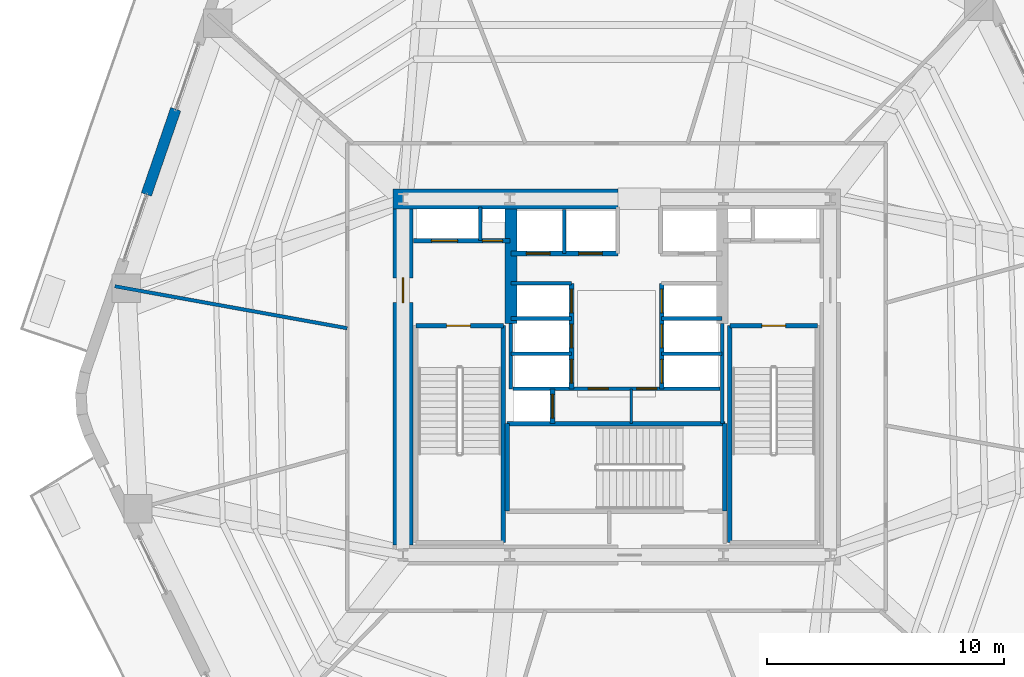
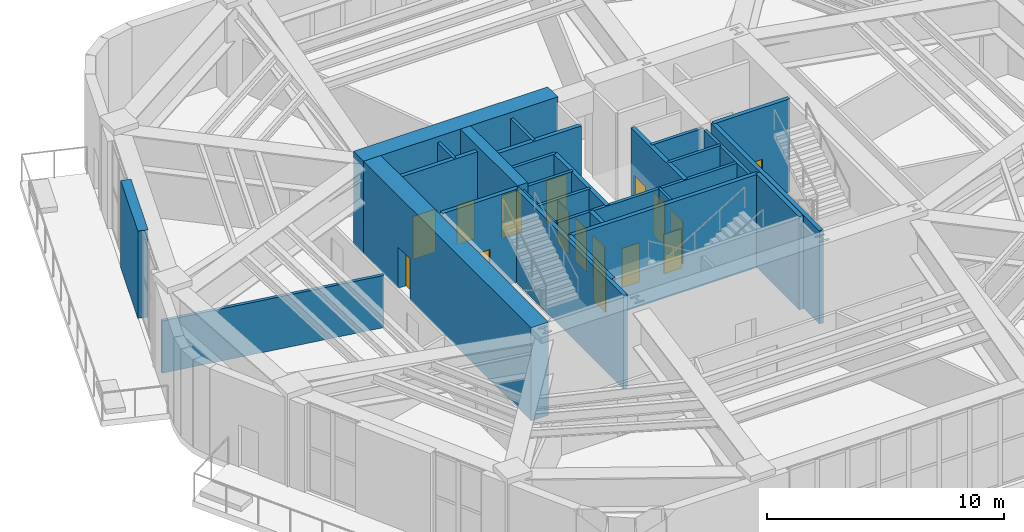
# One storey, part 17 of 22: 28 walls, 16 doors, 16 openings.
"""IFC4 building model written with IfcOpenShell, lengths in metres."""

from ifc_helpers import new_model, si_unit, direction, frame, frame_2d, origin, place, context, subcontext, project, spatial, rectangle, extrude, material, layer, layer_set, type_object, element, fill, save


model = new_model("IFC4")

# Units and contexts
model_context = context("Model", 3, precision=1e-05, world=origin(), true_north=direction((0.0, 1.0)))
body_context = subcontext(model_context, "Body", "Model", "MODEL_VIEW")
ifc_project = project(units=[si_unit("LENGTHUNIT", "METRE"), si_unit("AREAUNIT", "SQUARE_METRE"), si_unit("VOLUMEUNIT", "CUBIC_METRE"), si_unit("PLANEANGLEUNIT", "RADIAN"), si_unit("MASSUNIT", "GRAM", prefix="KILO")], contexts=[model_context])

# Site, building, storey
site_placement = place(None, origin())
site = spatial("IfcSite", under=ifc_project, at=site_placement, CompositionType="ELEMENT")
building_placement = place(site_placement, origin())
building = spatial("IfcBuilding", under=site, at=building_placement, Name="Kilnhurst Terrace Hotel", CompositionType="ELEMENT")
storey_placement = place(building_placement, frame((0.0, 0.0, 139.5)))
storey = spatial("IfcBuildingStorey", under=building, at=storey_placement, Name="L34", CompositionType="ELEMENT", Elevation=139.5)

# Walls
ifc_material_1 = material(Name="Precast concrete C40/50", Category="concrete")
ifc_layer_1 = layer(ifc_material_1, 0.449951171875, Name="Precast concrete C40/50")
ifc_layer_set_1 = layer_set([ifc_layer_1], Name="Precast concrete C40/50")
wall_type_1 = type_object("IfcWallType", Name="WL-BRK-450", PredefinedType="SOLIDWALL", material=ifc_layer_set_1)
wall_1_placement = place(storey_placement, frame((-18.574462890625, 11.279052734375, 0.0), z_axis=(0.0, 0.0, 1.0), x_axis=(-0.325598625093, -0.945508083169, 0.0)))
element("IfcWall", 1, at=wall_1_placement, inside=storey, type_object=wall_type_1, Name="L34 Face 5 Brick Pier 2", PredefinedType="SOLIDWALL", context=body_context, shape_type="SweptSolid", body=[
    extrude(rectangle(XDim=3.800048828125, YDim=0.449951171875, at=frame_2d((1.89990234375, 0.0))), origin(), (0.0, 0.0, 1.0), 4.5),
])
ifc_material_2 = material(Name="Concrete C80/95", Category="concrete")
ifc_layer_2 = layer(ifc_material_2, 0.85009765625, Name="Concrete C80/95")
ifc_layer_set_2 = layer_set([ifc_layer_2], Name="Concrete C80/95")
wall_type_2 = type_object("IfcWallType", Name="WL-CORE-850", PredefinedType="SHEAR", material=ifc_layer_set_2)
wall_2_placement = place(storey_placement, frame((-9.425048828125, 7.5, 0.0), z_axis=(0.0, 0.0, 1.0), x_axis=(1.0, 0.0, 0.0)))
element("IfcWall", 2, at=wall_2_placement, inside=storey, type_object=wall_type_2, Name="L34 Core North West Shear Wall", PredefinedType="SHEAR", context=body_context, shape_type="SweptSolid", body=[
    extrude(rectangle(XDim=9.47509765625, YDim=0.85009765625, at=frame_2d((4.737548828125, 0.0))), origin(), (0.0, 0.0, 1.0), 4.800048828125),
])

# Wall, opening, door
wall_3_placement = place(storey_placement, frame((-9.0, -7.074951171875, 0.0), z_axis=(0.0, 0.0, 1.0), x_axis=(0.0, 1.0, 0.0)))
wall_3 = element("IfcWall", 3, at=wall_3_placement, inside=storey, type_object=wall_type_2, Name="L34 Core West Shear Wall", PredefinedType="SHEAR", context=body_context, shape_type="SweptSolid", body=[
    extrude(rectangle(XDim=14.14990234375, YDim=0.85009765625, at=frame_2d((7.074951171875, 0.0))), origin(), (0.0, 0.0, 1.0), 4.800048828125),
])
opening_1_placement = place(wall_3_placement, frame((10.199951171875, 0.0, 0.0)))
opening_1 = element("IfcOpeningElement", 4, at=opening_1_placement, cuts=wall_3, Name="Opening D-90A", PredefinedType="OPENING", context=body_context, shape_type="SweptSolid", body=[
    extrude(rectangle(XDim=1.050048828125, YDim=2.14990234375, at=frame_2d((0.52490234375, 1.074951171875))), frame((0.0, 0.43505859375, 0.0), z_axis=(0.0, -1.0, 0.0), x_axis=(1.0, 0.0, 0.0)), (0.0, 0.0, 1.0), 0.8701171875),
])
ifc_material_3 = material(Name="Painted Hollow Metal Steel ASTM A36 Fire Door", Category="steel")
door_type_1 = type_object("IfcDoorType", Name="DR-FD90-1050", OperationType="NOTDEFINED", PredefinedType="DOOR", material=ifc_material_3)
door_1_placement = place(opening_1_placement, origin())
door_1 = element("IfcDoor", 5, at=door_1_placement, inside=storey, type_object=door_type_1, Name="L34 West Firefighting Lobby Door", OperationType="SINGLE_SWING_RIGHT", OverallHeight=2.14990234375, OverallWidth=1.050048828125, PredefinedType="DOOR", context=body_context, shape_type="SweptSolid", body=[
    extrude(rectangle(XDim=1.050048828125, YDim=2.14990234375, at=frame_2d((0.52490234375, 1.074951171875))), frame((0.0, 0.02490234375, 0.0), z_axis=(0.0, -1.0, 0.0), x_axis=(1.0, 0.0, 0.0)), (0.0, 0.0, 1.0), 0.050048828125),
])
fill(opening_1, door_1)

# Walls
ifc_material_4 = material(Name="Concrete C60/75", Category="concrete")
ifc_layer_3 = layer(ifc_material_4, 0.5, Name="Concrete C60/75")
ifc_layer_set_3 = layer_set([ifc_layer_3], Name="Concrete C60/75")
wall_type_3 = type_object("IfcWallType", Name="WL-CORE-WEB-500", PredefinedType="SHEAR", material=ifc_layer_set_3)
wall_4_placement = place(storey_placement, frame((-4.449951171875, 2.25, 0.0), z_axis=(0.0, 0.0, 1.0), x_axis=(0.0, 1.0, 0.0)))
element("IfcWall", 6, at=wall_4_placement, inside=storey, type_object=wall_type_3, Name="L34 Core Internal West Shear Web", PredefinedType="SHEAR", context=body_context, shape_type="SweptSolid", body=[
    extrude(rectangle(XDim=4.824951171875, YDim=0.5, at=frame_2d((2.41259765625, 0.0))), origin(), (0.0, 0.0, 1.0), 4.800048828125),
])
ifc_material_5 = material(Name="120 mm Moisture-Resistant Tile-Backed Bathroom Partition")
ifc_layer_4 = layer(ifc_material_5, 0.1201171875, Name="120 mm Moisture-Resistant Tile-Backed Bathroom Partition")
ifc_layer_set_4 = layer_set([ifc_layer_4], Name="120 mm Moisture-Resistant Tile-Backed Bathroom Partition")
wall_type_4 = type_object("IfcWallType", Name="WL-PART-120", PredefinedType="PARTITIONING", material=ifc_layer_set_4)
wall_5_placement = place(storey_placement, frame((0.6201171875, -1.971923828125, 0.0), z_axis=(0.0, 0.0, 1.0), x_axis=(0.0, 1.0, 0.0)))
element("IfcWall", 7, at=wall_5_placement, inside=storey, type_object=wall_type_4, Name="L34 Interior Wall WL-L34-BOH-C1", PredefinedType="PARTITIONING", context=body_context, shape_type="SweptSolid", body=[
    extrude(rectangle(XDim=1.471923828125, YDim=0.1201171875, at=frame_2d((0.73583984375, 0.0))), origin(), (0.0, 0.0, 1.0), 4.5),
])
ifc_material_6 = material(Name="150 mm Acoustic Gypsum Hospitality Partition")
ifc_layer_5 = layer(ifc_material_6, 0.14990234375, Name="150 mm Acoustic Gypsum Hospitality Partition")
ifc_layer_set_5 = layer_set([ifc_layer_5], Name="150 mm Acoustic Gypsum Hospitality Partition")
wall_type_5 = type_object("IfcWallType", Name="WL-PART-150", PredefinedType="PARTITIONING", material=ifc_layer_set_5)
wall_6_placement = place(storey_placement, frame((-11.35009765625, 2.05078125, 0.0), z_axis=(0.0, 0.0, 1.0), x_axis=(-0.984068313063, 0.177790762484, 0.0)))
element("IfcWall", 8, at=wall_6_placement, inside=storey, type_object=wall_type_5, Name="L34 Interior Wall WL-L34-SCOL-06-1", PredefinedType="PARTITIONING", context=body_context, shape_type="SweptSolid", body=[
    extrude(rectangle(XDim=9.951416015625, YDim=0.14990234375, at=frame_2d((4.9755859375, 0.0))), origin(), (0.0, 0.0, 1.0), 2.68994140625),
])
ifc_material_7 = material(Name="Fire-Rated Gypsum Shaftliner Assembly")
ifc_layer_6 = layer(ifc_material_7, 0.14990234375, Name="Fire-Rated Gypsum Shaftliner Assembly")
ifc_layer_set_6 = layer_set([ifc_layer_6], Name="Fire-Rated Gypsum Shaftliner Assembly")
wall_type_6 = type_object("IfcWallType", Name="WL-SHAFT-150", PredefinedType="PARTITIONING", material=ifc_layer_set_6)
wall_7_placement = place(storey_placement, frame((-5.75, 5.739990234375, 0.0), z_axis=(0.0, 0.0, 1.0), x_axis=(0.0, 1.0, 0.0)))
element("IfcWall", 9, at=wall_7_placement, inside=storey, type_object=wall_type_6, Name="L34 Interior Wall WL-L34-RIS1-DIV", PredefinedType="PARTITIONING", context=body_context, shape_type="SweptSolid", body=[
    extrude(rectangle(XDim=1.409912109375, YDim=0.14990234375, at=frame_2d((0.705078125, 0.0))), origin(), (0.0, 0.0, 1.0), 4.5),
])
wall_8_placement = place(storey_placement, frame((-2.199951171875, 5.199951171875, 0.0), z_axis=(0.0, 0.0, 1.0), x_axis=(0.0, 1.0, 0.0)))
element("IfcWall", 10, at=wall_8_placement, inside=storey, type_object=wall_type_6, Name="L34 Interior Wall WL-L34-HR-DIV1", PredefinedType="PARTITIONING", context=body_context, shape_type="SweptSolid", body=[
    extrude(rectangle(XDim=1.85009765625, YDim=0.14990234375, at=frame_2d((0.925048828125, 0.0))), origin(), (0.0, 0.0, 1.0), 4.5),
])
wall_9_placement = place(storey_placement, frame((-4.449951171875, -0.5, 0.0), z_axis=(0.0, 0.0, 1.0), x_axis=(0.0, 1.0, 0.0)))
element("IfcWall", 11, at=wall_9_placement, inside=storey, type_object=wall_type_6, Name="L34 Interior Wall WL-L34-XLOB-W", PredefinedType="PARTITIONING", context=body_context, shape_type="SweptSolid", body=[
    extrude(rectangle(XDim=2.75, YDim=0.14990234375, at=frame_2d((1.375, 0.0))), origin(), (0.0, 0.0, 1.0), 4.5),
])
wall_10_placement = place(storey_placement, frame((4.449951171875, -1.971923828125, 0.0), z_axis=(0.0, 0.0, 1.0), x_axis=(0.0, 1.0, 0.0)))
element("IfcWall", 12, at=wall_10_placement, inside=storey, type_object=wall_type_6, Name="L34 Interior Wall WL-L34-XLOB-E", PredefinedType="PARTITIONING", context=body_context, shape_type="SweptSolid", body=[
    extrude(rectangle(XDim=4.221923828125, YDim=0.14990234375, at=frame_2d((2.11083984375, 0.0))), origin(), (0.0, 0.0, 1.0), 4.5),
])
for number, where, z_axis, x_axis, name in (
    (13, (-4.449951171875, 3.93994140625, 0.0), (0.0, 0.0, 1.0), (1.0, 0.0, 0.0), "L34 Interior Wall WL-L34-LR-NORTH"),
    (14, (-4.449951171875, 0.97998046875, 0.0), (0.0, 0.0, 1.0), (1.0, 0.0, 0.0), "L34 Interior Wall WL-L34-LR-D1"),
    (15, (-4.449951171875, 2.4599609375, 0.0), (0.0, 0.0, 1.0), (1.0, 0.0, 0.0), "L34 Interior Wall WL-L34-LR-D2"),
    (16, (1.89990234375, 0.97998046875, 0.0), (0.0, 0.0, 1.0), (1.0, 0.0, 0.0), "L34 Interior Wall WL-L34-MR-D1"),
    (17, (1.89990234375, 2.4599609375, 0.0), (0.0, 0.0, 1.0), (1.0, 0.0, 0.0), "L34 Interior Wall WL-L34-MR-D2"),
):
    element("IfcWall", number, at=place(storey_placement, frame(where, z_axis=z_axis, x_axis=x_axis)), inside=storey, type_object=wall_type_6, Name=name, PredefinedType="PARTITIONING", context=body_context, shape_type="SweptSolid", body=[
        extrude(rectangle(XDim=2.550048828125, YDim=0.14990234375, at=frame_2d((1.27490234375, 0.0))), origin(), (0.0, 0.0, 1.0), 4.5),
    ])

# Wall, openings, doors
wall_11_placement = place(storey_placement, frame((-4.360107421875, -0.489990234375, 0.0), z_axis=(0.0, 0.0, 1.0), x_axis=(1.0, 0.0, 0.0)))
wall_11 = element("IfcWall", 18, at=wall_11_placement, inside=storey, type_object=wall_type_6, Name="L34 Interior Wall WL-L34-BOH-N", PredefinedType="PARTITIONING", context=body_context, shape_type="SweptSolid", body=[
    extrude(rectangle(XDim=8.72021484375, YDim=0.14990234375, at=frame_2d((4.360107421875, 0.0))), origin(), (0.0, 0.0, 1.0), 4.5),
])
opening_2_placement = place(wall_11_placement, frame((3.159912109375, 0.0, 0.0)))
opening_2 = element("IfcOpeningElement", 19, at=opening_2_placement, cuts=wall_11, Name="Opening D-60D", PredefinedType="OPENING", context=body_context, shape_type="SweptSolid", body=[
    extrude(rectangle(XDim=0.85009765625, YDim=2.030029296875, at=frame_2d((0.425048828125, 1.01513671875))), frame((0.0, 0.0849609375, 0.0), z_axis=(0.0, -1.0, 0.0), x_axis=(1.0, 0.0, 0.0)), (0.0, 0.0, 1.0), 0.169921875),
])
opening_3_placement = place(wall_11_placement, frame((5.2099609375, 0.0, 0.0)))
opening_3 = element("IfcOpeningElement", 20, at=opening_3_placement, cuts=wall_11, Name="Opening D-60D", PredefinedType="OPENING", context=body_context, shape_type="SweptSolid", body=[
    extrude(rectangle(XDim=0.85009765625, YDim=2.030029296875, at=frame_2d((0.425048828125, 1.01513671875))), frame((0.0, 0.0849609375, 0.0), z_axis=(0.0, -1.0, 0.0), x_axis=(1.0, 0.0, 0.0)), (0.0, 0.0, 1.0), 0.169921875),
])
ifc_material_8 = material(Name="Painted Hollow Metal Steel ASTM A36 Riser Door", Category="steel")
door_type_2 = type_object("IfcDoorType", Name="DR-FD60-850", OperationType="NOTDEFINED", PredefinedType="DOOR", material=ifc_material_8)
door_2_placement = place(opening_2_placement, origin())
door_2 = element("IfcDoor", 21, at=door_2_placement, inside=storey, type_object=door_type_2, Name="L34 Housekeeping Laundry Door", OperationType="SINGLE_SWING_LEFT", OverallHeight=2.030029296875, OverallWidth=0.85009765625, PredefinedType="DOOR", context=body_context, shape_type="SweptSolid", body=[
    extrude(rectangle(XDim=0.85009765625, YDim=2.030029296875, at=frame_2d((0.425048828125, 1.01513671875))), frame((0.0, 0.02490234375, 0.0), z_axis=(0.0, -1.0, 0.0), x_axis=(1.0, 0.0, 0.0)), (0.0, 0.0, 1.0), 0.050048828125),
])
fill(opening_2, door_2)
door_3_placement = place(opening_3_placement, origin())
door_3 = element("IfcDoor", 22, at=door_3_placement, inside=storey, type_object=door_type_2, Name="L34 Room Service Kitchen Door", OperationType="SINGLE_SWING_RIGHT", OverallHeight=2.030029296875, OverallWidth=0.85009765625, PredefinedType="DOOR", context=body_context, shape_type="SweptSolid", body=[
    extrude(rectangle(XDim=0.85009765625, YDim=2.030029296875, at=frame_2d((0.425048828125, 1.01513671875))), frame((0.0, 0.02490234375, 0.0), z_axis=(0.0, -1.0, 0.0), x_axis=(1.0, 0.0, 0.0)), (0.0, 0.0, 1.0), 0.050048828125),
])
fill(opening_3, door_3)

ifc_material_9 = material(Name="Autoclaved Aerated Concrete C30/37 and Gypsum Shaft Assembly", Category="concrete")
ifc_layer_7 = layer(ifc_material_9, 0.199951171875, Name="Autoclaved Aerated Concrete C30/37 and Gypsum Shaft Assembly")
ifc_layer_set_7 = layer_set([ifc_layer_7], Name="Autoclaved Aerated Concrete C30/37 and Gypsum Shaft Assembly")
wall_type_7 = type_object("IfcWallType", Name="WL-SHAFT-200", PredefinedType="PARTITIONING", material=ifc_layer_set_7)
wall_12_placement = place(storey_placement, frame((-8.550048828125, 5.739990234375, 0.0), z_axis=(0.0, 0.0, 1.0), x_axis=(1.0, 0.0, 0.0)))
wall_12 = element("IfcWall", 23, at=wall_12_placement, inside=storey, type_object=wall_type_7, Name="L34 Interior Wall WL-L34-FSAE1-S", PredefinedType="PARTITIONING", context=body_context, shape_type="SweptSolid", body=[
    extrude(rectangle(XDim=4.050048828125, YDim=0.199951171875, at=frame_2d((2.02490234375, 0.0))), origin(), (0.0, 0.0, 1.0), 4.5),
])
opening_4_placement = place(wall_12_placement, frame((0.75, 0.0, 0.0)))
opening_4 = element("IfcOpeningElement", 24, at=opening_4_placement, cuts=wall_12, Name="Opening LD-F1", PredefinedType="OPENING", context=body_context, shape_type="SweptSolid", body=[
    extrude(rectangle(XDim=1.10009765625, YDim=2.199951171875, at=frame_2d((0.550048828125, 1.10009765625))), frame((0.0, 0.10986328125, 0.0), z_axis=(0.0, -1.0, 0.0), x_axis=(1.0, 0.0, 0.0)), (0.0, 0.0, 1.0), 0.219970703125),
])
opening_5_placement = place(wall_12_placement, frame((2.89990234375, 0.0, 0.0)))
opening_5 = element("IfcOpeningElement", 25, at=opening_5_placement, cuts=wall_12, Name="Opening D-60D", PredefinedType="OPENING", context=body_context, shape_type="SweptSolid", body=[
    extrude(rectangle(XDim=0.85009765625, YDim=2.030029296875, at=frame_2d((0.425048828125, 1.01513671875))), frame((0.0, 0.10986328125, 0.0), z_axis=(0.0, -1.0, 0.0), x_axis=(1.0, 0.0, 0.0)), (0.0, 0.0, 1.0), 0.219970703125),
])
door_4_placement = place(opening_5_placement, origin())
door_4 = element("IfcDoor", 26, at=door_4_placement, inside=storey, type_object=door_type_2, Name="L34 Electrical Riser Door", OperationType="SINGLE_SWING_LEFT", OverallHeight=2.030029296875, OverallWidth=0.85009765625, PredefinedType="DOOR", context=body_context, shape_type="SweptSolid", body=[
    extrude(rectangle(XDim=0.85009765625, YDim=2.030029296875, at=frame_2d((0.425048828125, 1.01513671875))), frame((0.0, 0.02490234375, 0.0), z_axis=(0.0, -1.0, 0.0), x_axis=(1.0, 0.0, 0.0)), (0.0, 0.0, 1.0), 0.050048828125),
])
fill(opening_5, door_4)
ifc_material_10 = material(Name="Bronze-Anodized Stainless Steel AISI 316L Sliding Door", Category="steel")
door_type_3 = type_object("IfcDoorType", Name="DR-LIFT-1100", OperationType="NOTDEFINED", PredefinedType="DOOR", material=ifc_material_10)
door_5_placement = place(opening_4_placement, origin())
door_5 = element("IfcDoor", 27, at=door_5_placement, inside=storey, type_object=door_type_3, Name="L34 FSAE-1 Landing Door", OperationType="SLIDING_TO_LEFT", OverallHeight=2.199951171875, OverallWidth=1.10009765625, PredefinedType="DOOR", context=body_context, shape_type="SweptSolid", body=[
    extrude(rectangle(XDim=1.10009765625, YDim=2.199951171875, at=frame_2d((0.550048828125, 1.10009765625))), frame((0.0, 0.02490234375, 0.0), z_axis=(0.0, -1.0, 0.0), x_axis=(1.0, 0.0, 0.0)), (0.0, 0.0, 1.0), 0.050048828125),
])
fill(opening_4, door_5)

# Wall, opening, door
wall_13_placement = place(storey_placement, frame((-2.699951171875, -1.971923828125, 0.0), z_axis=(0.0, 0.0, 1.0), x_axis=(0.0, 1.0, 0.0)))
wall_13 = element("IfcWall", 28, at=wall_13_placement, inside=storey, type_object=wall_type_7, Name="L34 Interior Wall WL-L34-SRV1-E", PredefinedType="PARTITIONING", context=body_context, shape_type="SweptSolid", body=[
    extrude(rectangle(XDim=1.471923828125, YDim=0.199951171875, at=frame_2d((0.73583984375, 0.0))), origin(), (0.0, 0.0, 1.0), 4.5),
])
opening_6_placement = place(wall_13_placement, frame((0.239990234375, 0.0, 0.0)))
opening_6 = element("IfcOpeningElement", 29, at=opening_6_placement, cuts=wall_13, Name="Opening LD-SV", PredefinedType="OPENING", context=body_context, shape_type="SweptSolid", body=[
    extrude(rectangle(XDim=1.0, YDim=2.199951171875, at=frame_2d((0.5, 1.10009765625))), frame((0.0, 0.10986328125, 0.0), z_axis=(0.0, -1.0, 0.0), x_axis=(1.0, 0.0, 0.0)), (0.0, 0.0, 1.0), 0.219970703125),
])
door_type_4 = type_object("IfcDoorType", Name="DR-LIFT-1000", OperationType="NOTDEFINED", PredefinedType="DOOR", material=ifc_material_10)
door_6_placement = place(opening_6_placement, origin())
door_6 = element("IfcDoor", 30, at=door_6_placement, inside=storey, type_object=door_type_4, Name="L34 Service Lift SRV-1 Landing Door", OperationType="SLIDING_TO_LEFT", OverallHeight=2.199951171875, OverallWidth=1.0, PredefinedType="DOOR", context=body_context, shape_type="SweptSolid", body=[
    extrude(rectangle(XDim=1.0, YDim=2.199951171875, at=frame_2d((0.5, 1.10009765625))), frame((0.0, 0.02490234375, 0.0), z_axis=(0.0, -1.0, 0.0), x_axis=(1.0, 0.0, 0.0)), (0.0, 0.0, 1.0), 0.050048828125),
])
fill(opening_6, door_6)

# Wall, openings, doors
wall_14_placement = place(storey_placement, frame((-4.449951171875, 5.199951171875, 0.0), z_axis=(0.0, 0.0, 1.0), x_axis=(1.0, 0.0, 0.0)))
wall_14 = element("IfcWall", 31, at=wall_14_placement, inside=storey, type_object=wall_type_7, Name="L34 Interior Wall WL-L34-HR-SW", PredefinedType="PARTITIONING", context=body_context, shape_type="SweptSolid", body=[
    extrude(rectangle(XDim=4.5, YDim=0.199951171875, at=frame_2d((2.25, 0.0))), origin(), (0.0, 0.0, 1.0), 4.5),
])
opening_7_placement = place(wall_14_placement, frame((0.64990234375, 0.0, 0.0)))
opening_7 = element("IfcOpeningElement", 32, at=opening_7_placement, cuts=wall_14, Name="Opening LD-HR", PredefinedType="OPENING", context=body_context, shape_type="SweptSolid", body=[
    extrude(rectangle(XDim=1.0, YDim=2.199951171875, at=frame_2d((0.5, 1.10009765625))), frame((0.0, 0.10986328125, 0.0), z_axis=(0.0, -1.0, 0.0), x_axis=(1.0, 0.0, 0.0)), (0.0, 0.0, 1.0), 0.219970703125),
])
opening_8_placement = place(wall_14_placement, frame((2.85009765625, 0.0, 0.0)))
opening_8 = element("IfcOpeningElement", 33, at=opening_8_placement, cuts=wall_14, Name="Opening LD-HS", PredefinedType="OPENING", context=body_context, shape_type="SweptSolid", body=[
    extrude(rectangle(XDim=1.0, YDim=2.199951171875, at=frame_2d((0.5, 1.10009765625))), frame((0.0, 0.10986328125, 0.0), z_axis=(0.0, -1.0, 0.0), x_axis=(1.0, 0.0, 0.0)), (0.0, 0.0, 1.0), 0.219970703125),
])
door_7_placement = place(opening_7_placement, origin())
door_7 = element("IfcDoor", 34, at=door_7_placement, inside=storey, type_object=door_type_4, Name="L34 High Rise Lift HR-1 Landing Door", OperationType="SLIDING_TO_LEFT", OverallHeight=2.199951171875, OverallWidth=1.0, PredefinedType="DOOR", context=body_context, shape_type="SweptSolid", body=[
    extrude(rectangle(XDim=1.0, YDim=2.199951171875, at=frame_2d((0.5, 1.10009765625))), frame((0.0, 0.02490234375, 0.0), z_axis=(0.0, -1.0, 0.0), x_axis=(1.0, 0.0, 0.0)), (0.0, 0.0, 1.0), 0.050048828125),
])
fill(opening_7, door_7)
door_8_placement = place(opening_8_placement, origin())
door_8 = element("IfcDoor", 35, at=door_8_placement, inside=storey, type_object=door_type_4, Name="L34 High Rise Lift HR-3 Landing Door", OperationType="SLIDING_TO_RIGHT", OverallHeight=2.199951171875, OverallWidth=1.0, PredefinedType="DOOR", context=body_context, shape_type="SweptSolid", body=[
    extrude(rectangle(XDim=1.0, YDim=2.199951171875, at=frame_2d((0.5, 1.10009765625))), frame((0.0, 0.02490234375, 0.0), z_axis=(0.0, -1.0, 0.0), x_axis=(1.0, 0.0, 0.0)), (0.0, 0.0, 1.0), 0.050048828125),
])
fill(opening_8, door_8)

wall_15_placement = place(storey_placement, frame((-1.89990234375, -0.5, 0.0), z_axis=(0.0, 0.0, 1.0), x_axis=(0.0, 1.0, 0.0)))
wall_15 = element("IfcWall", 36, at=wall_15_placement, inside=storey, type_object=wall_type_7, Name="L34 Interior Wall WL-L34-LR-FRONT", PredefinedType="PARTITIONING", context=body_context, shape_type="SweptSolid", body=[
    extrude(rectangle(XDim=4.43994140625, YDim=0.199951171875, at=frame_2d((2.219970703125, 0.0))), origin(), (0.0, 0.0, 1.0), 4.5),
])
opening_9_placement = place(wall_15_placement, frame((0.239990234375, 0.0, 0.0)))
opening_9 = element("IfcOpeningElement", 37, at=opening_9_placement, cuts=wall_15, Name="Opening LD-LR", PredefinedType="OPENING", context=body_context, shape_type="SweptSolid", body=[
    extrude(rectangle(XDim=1.0, YDim=2.199951171875, at=frame_2d((0.5, 1.10009765625))), frame((0.0, 0.10986328125, 0.0), z_axis=(0.0, -1.0, 0.0), x_axis=(1.0, 0.0, 0.0)), (0.0, 0.0, 1.0), 0.219970703125),
])
opening_10_placement = place(wall_15_placement, frame((1.719970703125, 0.0, 0.0)))
opening_10 = element("IfcOpeningElement", 38, at=opening_10_placement, cuts=wall_15, Name="Opening LD-LR", PredefinedType="OPENING", context=body_context, shape_type="SweptSolid", body=[
    extrude(rectangle(XDim=1.0, YDim=2.199951171875, at=frame_2d((0.5, 1.10009765625))), frame((0.0, 0.10986328125, 0.0), z_axis=(0.0, -1.0, 0.0), x_axis=(1.0, 0.0, 0.0)), (0.0, 0.0, 1.0), 0.219970703125),
])
opening_11_placement = place(wall_15_placement, frame((3.199951171875, 0.0, 0.0)))
opening_11 = element("IfcOpeningElement", 39, at=opening_11_placement, cuts=wall_15, Name="Opening LD-LR", PredefinedType="OPENING", context=body_context, shape_type="SweptSolid", body=[
    extrude(rectangle(XDim=1.0, YDim=2.199951171875, at=frame_2d((0.5, 1.10009765625))), frame((0.0, 0.10986328125, 0.0), z_axis=(0.0, -1.0, 0.0), x_axis=(1.0, 0.0, 0.0)), (0.0, 0.0, 1.0), 0.219970703125),
])
door_9_placement = place(opening_9_placement, origin())
door_9 = element("IfcDoor", 40, at=door_9_placement, inside=storey, type_object=door_type_4, Name="L34 Low Rise Lift LR-1 Landing Door", OperationType="SLIDING_TO_LEFT", OverallHeight=2.199951171875, OverallWidth=1.0, PredefinedType="DOOR", context=body_context, shape_type="SweptSolid", body=[
    extrude(rectangle(XDim=1.0, YDim=2.199951171875, at=frame_2d((0.5, 1.10009765625))), frame((0.0, 0.02490234375, 0.0), z_axis=(0.0, -1.0, 0.0), x_axis=(1.0, 0.0, 0.0)), (0.0, 0.0, 1.0), 0.050048828125),
])
fill(opening_9, door_9)
door_10_placement = place(opening_10_placement, origin())
door_10 = element("IfcDoor", 41, at=door_10_placement, inside=storey, type_object=door_type_4, Name="L34 Low Rise Lift LR-2 Landing Door", OperationType="SLIDING_TO_LEFT", OverallHeight=2.199951171875, OverallWidth=1.0, PredefinedType="DOOR", context=body_context, shape_type="SweptSolid", body=[
    extrude(rectangle(XDim=1.0, YDim=2.199951171875, at=frame_2d((0.5, 1.10009765625))), frame((0.0, 0.02490234375, 0.0), z_axis=(0.0, -1.0, 0.0), x_axis=(1.0, 0.0, 0.0)), (0.0, 0.0, 1.0), 0.050048828125),
])
fill(opening_10, door_10)
door_11_placement = place(opening_11_placement, origin())
door_11 = element("IfcDoor", 42, at=door_11_placement, inside=storey, type_object=door_type_4, Name="L34 Low Rise Lift LR-3 Landing Door", OperationType="SLIDING_TO_LEFT", OverallHeight=2.199951171875, OverallWidth=1.0, PredefinedType="DOOR", context=body_context, shape_type="SweptSolid", body=[
    extrude(rectangle(XDim=1.0, YDim=2.199951171875, at=frame_2d((0.5, 1.10009765625))), frame((0.0, 0.02490234375, 0.0), z_axis=(0.0, -1.0, 0.0), x_axis=(1.0, 0.0, 0.0)), (0.0, 0.0, 1.0), 0.050048828125),
])
fill(opening_11, door_11)

wall_16_placement = place(storey_placement, frame((1.89990234375, -0.5, 0.0), z_axis=(0.0, 0.0, 1.0), x_axis=(0.0, 1.0, 0.0)))
wall_16 = element("IfcWall", 43, at=wall_16_placement, inside=storey, type_object=wall_type_7, Name="L34 Interior Wall WL-L34-MR-FRONT", PredefinedType="PARTITIONING", context=body_context, shape_type="SweptSolid", body=[
    extrude(rectangle(XDim=4.43994140625, YDim=0.199951171875, at=frame_2d((2.219970703125, 0.0))), origin(), (0.0, 0.0, 1.0), 4.5),
])
opening_12_placement = place(wall_16_placement, frame((0.239990234375, 0.0, 0.0)))
opening_12 = element("IfcOpeningElement", 44, at=opening_12_placement, cuts=wall_16, Name="Opening LD-MR", PredefinedType="OPENING", context=body_context, shape_type="SweptSolid", body=[
    extrude(rectangle(XDim=1.0, YDim=2.199951171875, at=frame_2d((0.5, 1.10009765625))), frame((0.0, 0.10986328125, 0.0), z_axis=(0.0, -1.0, 0.0), x_axis=(1.0, 0.0, 0.0)), (0.0, 0.0, 1.0), 0.219970703125),
])
opening_13_placement = place(wall_16_placement, frame((1.719970703125, 0.0, 0.0)))
opening_13 = element("IfcOpeningElement", 45, at=opening_13_placement, cuts=wall_16, Name="Opening LD-MR", PredefinedType="OPENING", context=body_context, shape_type="SweptSolid", body=[
    extrude(rectangle(XDim=1.0, YDim=2.199951171875, at=frame_2d((0.5, 1.10009765625))), frame((0.0, 0.10986328125, 0.0), z_axis=(0.0, -1.0, 0.0), x_axis=(1.0, 0.0, 0.0)), (0.0, 0.0, 1.0), 0.219970703125),
])
opening_14_placement = place(wall_16_placement, frame((3.199951171875, 0.0, 0.0)))
opening_14 = element("IfcOpeningElement", 46, at=opening_14_placement, cuts=wall_16, Name="Opening LD-MR", PredefinedType="OPENING", context=body_context, shape_type="SweptSolid", body=[
    extrude(rectangle(XDim=1.0, YDim=2.199951171875, at=frame_2d((0.5, 1.10009765625))), frame((0.0, 0.10986328125, 0.0), z_axis=(0.0, -1.0, 0.0), x_axis=(1.0, 0.0, 0.0)), (0.0, 0.0, 1.0), 0.219970703125),
])
door_12_placement = place(opening_12_placement, origin())
door_12 = element("IfcDoor", 47, at=door_12_placement, inside=storey, type_object=door_type_4, Name="L34 Mid Rise Lift MR-1 Landing Door", OperationType="SLIDING_TO_RIGHT", OverallHeight=2.199951171875, OverallWidth=1.0, PredefinedType="DOOR", context=body_context, shape_type="SweptSolid", body=[
    extrude(rectangle(XDim=1.0, YDim=2.199951171875, at=frame_2d((0.5, 1.10009765625))), frame((0.0, 0.02490234375, 0.0), z_axis=(0.0, -1.0, 0.0), x_axis=(1.0, 0.0, 0.0)), (0.0, 0.0, 1.0), 0.050048828125),
])
fill(opening_12, door_12)
door_13_placement = place(opening_13_placement, origin())
door_13 = element("IfcDoor", 48, at=door_13_placement, inside=storey, type_object=door_type_4, Name="L34 Mid Rise Lift MR-2 Landing Door", OperationType="SLIDING_TO_RIGHT", OverallHeight=2.199951171875, OverallWidth=1.0, PredefinedType="DOOR", context=body_context, shape_type="SweptSolid", body=[
    extrude(rectangle(XDim=1.0, YDim=2.199951171875, at=frame_2d((0.5, 1.10009765625))), frame((0.0, 0.02490234375, 0.0), z_axis=(0.0, -1.0, 0.0), x_axis=(1.0, 0.0, 0.0)), (0.0, 0.0, 1.0), 0.050048828125),
])
fill(opening_13, door_13)
door_14_placement = place(opening_14_placement, origin())
door_14 = element("IfcDoor", 49, at=door_14_placement, inside=storey, type_object=door_type_4, Name="L34 Mid Rise Lift MR-3 Landing Door", OperationType="SLIDING_TO_RIGHT", OverallHeight=2.199951171875, OverallWidth=1.0, PredefinedType="DOOR", context=body_context, shape_type="SweptSolid", body=[
    extrude(rectangle(XDim=1.0, YDim=2.199951171875, at=frame_2d((0.5, 1.10009765625))), frame((0.0, 0.02490234375, 0.0), z_axis=(0.0, -1.0, 0.0), x_axis=(1.0, 0.0, 0.0)), (0.0, 0.0, 1.0), 0.050048828125),
])
fill(opening_14, door_14)

# Wall
ifc_material_11 = material(Name="Concrete C50/60", Category="concrete")
ifc_layer_8 = layer(ifc_material_11, 0.199951171875, Name="Concrete C50/60")
ifc_layer_set_8 = layer_set([ifc_layer_8], Name="Concrete C50/60")
wall_type_8 = type_object("IfcWallType", Name="WL-STAIR-RC-200", PredefinedType="SHEAR", material=ifc_layer_set_8)
wall_17_placement = place(storey_placement, frame((-4.77197265625, -6.985107421875, 0.0), z_axis=(0.0, 0.0, 1.0), x_axis=(0.0, 1.0, 0.0)))
element("IfcWall", 50, at=wall_17_placement, inside=storey, type_object=wall_type_8, Name="L34 Structural Stair Shaft Wall WL-L34-ST1-E", PredefinedType="SHEAR", context=body_context, shape_type="SweptSolid", body=[
    extrude(rectangle(XDim=9.14306640625, YDim=0.199951171875, at=frame_2d((4.571533203125, 0.0))), origin(), (0.0, 0.0, 1.0), 4.800048828125),
])

# Wall, opening, door
wall_18_placement = place(storey_placement, frame((-8.4580078125, 2.157958984375, 0.0), z_axis=(0.0, 0.0, 1.0), x_axis=(1.0, 0.0, 0.0)))
wall_18 = element("IfcWall", 51, at=wall_18_placement, inside=storey, type_object=wall_type_8, Name="L34 Structural Stair Shaft Wall WL-L34-ST1-N", PredefinedType="SHEAR", context=body_context, shape_type="SweptSolid", body=[
    extrude(rectangle(XDim=3.68603515625, YDim=0.199951171875, at=frame_2d((1.843017578125, 0.0))), origin(), (0.0, 0.0, 1.0), 4.800048828125),
])
opening_15_placement = place(wall_18_placement, frame((1.300048828125, 0.0, 0.0)))
opening_15 = element("IfcOpeningElement", 52, at=opening_15_placement, cuts=wall_18, Name="Opening D-90B", PredefinedType="OPENING", context=body_context, shape_type="SweptSolid", body=[
    extrude(rectangle(XDim=1.0, YDim=2.14990234375, at=frame_2d((0.5, 1.074951171875))), frame((0.0, 0.10986328125, 0.0), z_axis=(0.0, -1.0, 0.0), x_axis=(1.0, 0.0, 0.0)), (0.0, 0.0, 1.0), 0.219970703125),
])
door_type_5 = type_object("IfcDoorType", Name="DR-FD90-1000", OperationType="NOTDEFINED", PredefinedType="DOOR", material=ifc_material_3)
door_15_placement = place(opening_15_placement, origin())
door_15 = element("IfcDoor", 53, at=door_15_placement, inside=storey, type_object=door_type_5, Name="L34 Stair ST-1 Door", OperationType="SINGLE_SWING_LEFT", OverallHeight=2.14990234375, OverallWidth=1.0, PredefinedType="DOOR", context=body_context, shape_type="SweptSolid", body=[
    extrude(rectangle(XDim=1.0, YDim=2.14990234375, at=frame_2d((0.5, 1.074951171875))), frame((0.0, 0.02490234375, 0.0), z_axis=(0.0, -1.0, 0.0), x_axis=(1.0, 0.0, 0.0)), (0.0, 0.0, 1.0), 0.050048828125),
])
fill(opening_15, door_15)

# Wall
wall_19_placement = place(storey_placement, frame((4.77197265625, -6.985107421875, 0.0), z_axis=(0.0, 0.0, 1.0), x_axis=(0.0, 1.0, 0.0)))
element("IfcWall", 54, at=wall_19_placement, inside=storey, type_object=wall_type_8, Name="L34 Structural Stair Shaft Wall WL-L34-ST2-W", PredefinedType="SHEAR", context=body_context, shape_type="SweptSolid", body=[
    extrude(rectangle(XDim=9.14306640625, YDim=0.199951171875, at=frame_2d((4.571533203125, 0.0))), origin(), (0.0, 0.0, 1.0), 4.800048828125),
])

# Wall, opening, door
wall_20_placement = place(storey_placement, frame((4.77197265625, 2.157958984375, 0.0), z_axis=(0.0, 0.0, 1.0), x_axis=(1.0, 0.0, 0.0)))
wall_20 = element("IfcWall", 55, at=wall_20_placement, inside=storey, type_object=wall_type_8, Name="L34 Structural Stair Shaft Wall WL-L34-ST2-N", PredefinedType="SHEAR", context=body_context, shape_type="SweptSolid", body=[
    extrude(rectangle(XDim=3.68603515625, YDim=0.199951171875, at=frame_2d((1.843017578125, 0.0))), origin(), (0.0, 0.0, 1.0), 4.800048828125),
])
opening_16_placement = place(wall_20_placement, frame((1.35009765625, 0.0, 0.0)))
opening_16 = element("IfcOpeningElement", 56, at=opening_16_placement, cuts=wall_20, Name="Opening D-90B", PredefinedType="OPENING", context=body_context, shape_type="SweptSolid", body=[
    extrude(rectangle(XDim=1.0, YDim=2.14990234375, at=frame_2d((0.5, 1.074951171875))), frame((0.0, 0.10986328125, 0.0), z_axis=(0.0, -1.0, 0.0), x_axis=(1.0, 0.0, 0.0)), (0.0, 0.0, 1.0), 0.219970703125),
])
door_16_placement = place(opening_16_placement, origin())
door_16 = element("IfcDoor", 57, at=door_16_placement, inside=storey, type_object=door_type_5, Name="L34 Stair ST-2 Door", OperationType="SINGLE_SWING_RIGHT", OverallHeight=2.14990234375, OverallWidth=1.0, PredefinedType="DOOR", context=body_context, shape_type="SweptSolid", body=[
    extrude(rectangle(XDim=1.0, YDim=2.14990234375, at=frame_2d((0.5, 1.074951171875))), frame((0.0, 0.02490234375, 0.0), z_axis=(0.0, -1.0, 0.0), x_axis=(1.0, 0.0, 0.0)), (0.0, 0.0, 1.0), 0.050048828125),
])
fill(opening_16, door_16)

# Walls
wall_21_placement = place(storey_placement, frame((-4.60791015625, -5.657958984375, 0.0), z_axis=(0.0, 0.0, 1.0), x_axis=(0.0, 1.0, 0.0)))
element("IfcWall", 58, at=wall_21_placement, inside=storey, type_object=wall_type_8, Name="L34 Structural Stair Shaft Wall WL-L34-ST3-W", PredefinedType="SHEAR", context=body_context, shape_type="SweptSolid", body=[
    extrude(rectangle(XDim=3.68603515625, YDim=0.199951171875, at=frame_2d((1.843017578125, 0.0))), origin(), (0.0, 0.0, 1.0), 4.800048828125),
])
wall_22_placement = place(storey_placement, frame((-4.60791015625, -1.971923828125, 0.0), z_axis=(0.0, 0.0, 1.0), x_axis=(1.0, 0.0, 0.0)))
element("IfcWall", 59, at=wall_22_placement, inside=storey, type_object=wall_type_8, Name="L34 Structural Stair Shaft Wall WL-L34-ST3-N", PredefinedType="SHEAR", context=body_context, shape_type="SweptSolid", body=[
    extrude(rectangle(XDim=9.166015625, YDim=0.199951171875, at=frame_2d((4.5830078125, 0.0))), origin(), (0.0, 0.0, 1.0), 4.800048828125),
])
wall_23_placement = place(storey_placement, frame((4.55810546875, -5.657958984375, 0.0), z_axis=(0.0, 0.0, 1.0), x_axis=(0.0, 1.0, 0.0)))
element("IfcWall", 60, at=wall_23_placement, inside=storey, type_object=wall_type_8, Name="L34 Structural Stair Shaft Wall WL-L34-ST3-E", PredefinedType="SHEAR", context=body_context, shape_type="SweptSolid", body=[
    extrude(rectangle(XDim=3.68603515625, YDim=0.199951171875, at=frame_2d((1.843017578125, 0.0))), origin(), (0.0, 0.0, 1.0), 4.800048828125),
])

save(model, "model.ifc")
